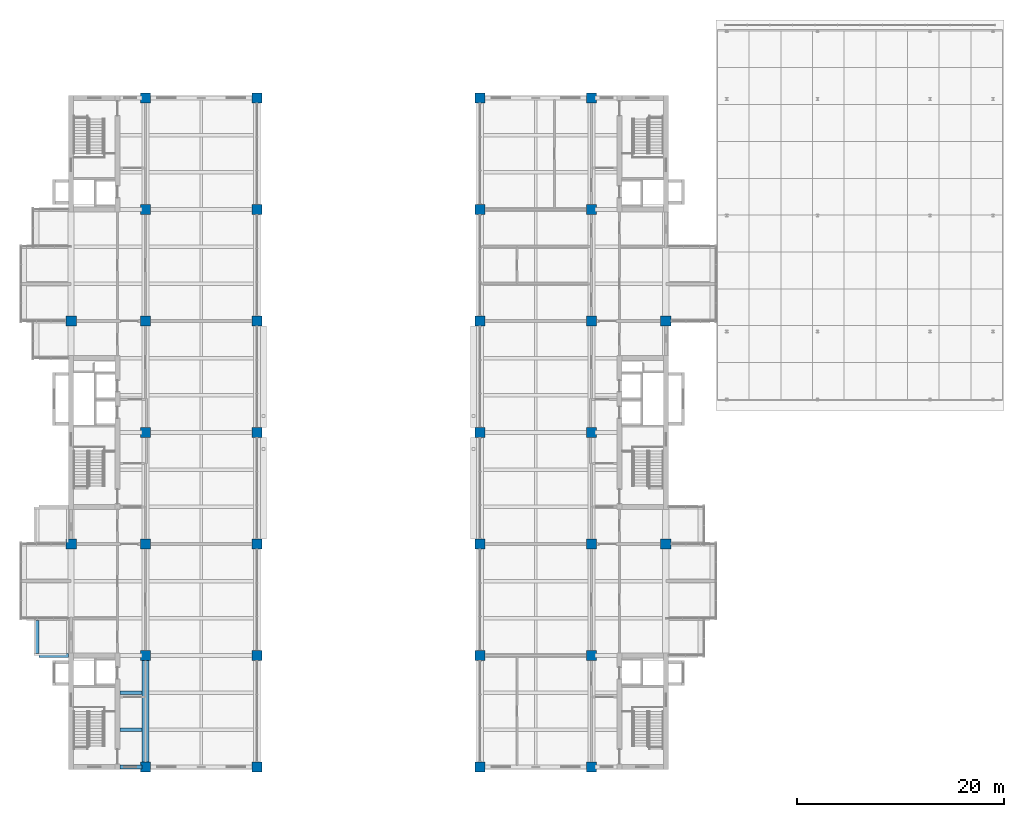
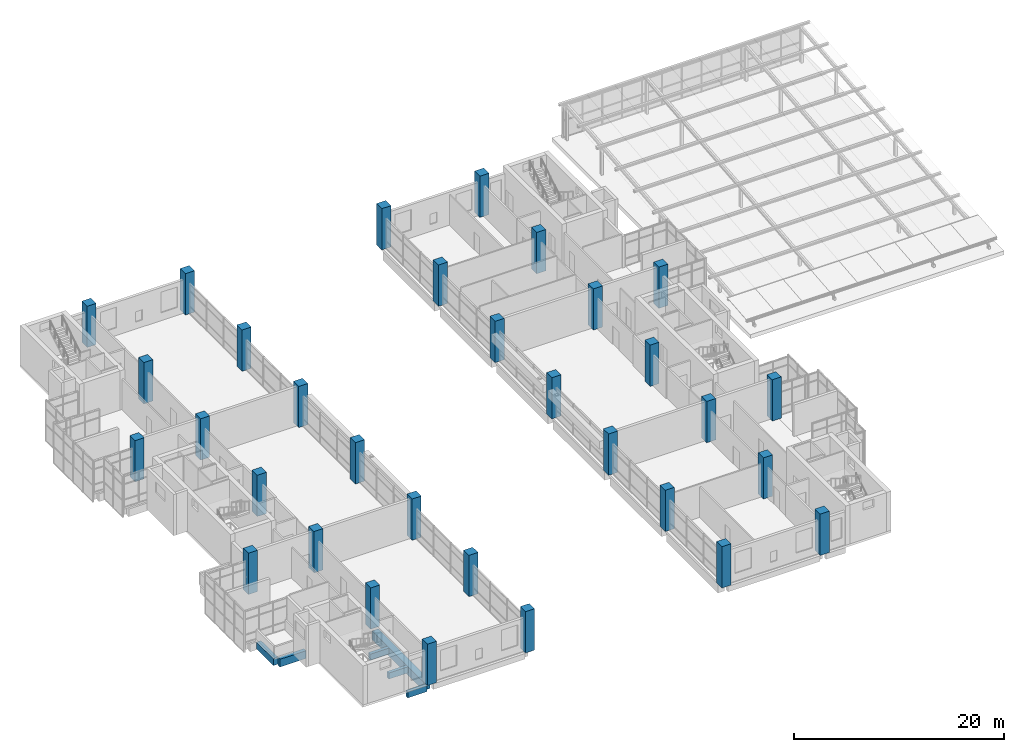
# One storey, part 1 of 44: 32 columns, 6 beams.
"""IFC4 building model written with IfcOpenShell, lengths in metres."""

from ifc_helpers import new_model, si_unit, direction, frame, origin, origin_2d, place, context, subcontext, project, spatial, rectangle, extrude, material, material_profile, profile_set, type_object, element, save


model = new_model("IFC4")

# Units and contexts
model_context = context("Model", 3, precision=1e-05, world=origin(), true_north=direction((0.0, 1.0)))
body_context = subcontext(model_context, "Body", "Model", "MODEL_VIEW")
ifc_project = project(units=[si_unit("LENGTHUNIT", "METRE"), si_unit("AREAUNIT", "SQUARE_METRE"), si_unit("VOLUMEUNIT", "CUBIC_METRE"), si_unit("PLANEANGLEUNIT", "RADIAN"), si_unit("MASSUNIT", "GRAM", prefix="KILO")], contexts=[model_context])

# Site, building, storey
site_placement = place(None, origin())
site = spatial("IfcSite", under=ifc_project, at=site_placement, CompositionType="ELEMENT")
building_placement = place(site_placement, origin())
building = spatial("IfcBuilding", under=site, at=building_placement, Name="Basin Gate Institute", CompositionType="ELEMENT")
storey_placement = place(building_placement, frame((0.0, 0.0, 27.0)))
storey = spatial("IfcBuildingStorey", under=building, at=storey_placement, Name="L05", CompositionType="ELEMENT", Elevation=27.0)

# Columns
ifc_material_1 = material(Name="Concrete 60 MPa", Category="concrete")
ifc_material_profile_1 = material_profile(ifc_material_1, rectangle(XDim=1.0, YDim=1.0, at=origin_2d()), Name="Column C2 1000 x 1000")
ifc_profile_set_1 = profile_set([ifc_material_profile_1], Name="Concrete 60 MPa")
column_type = type_object("IfcColumnType", Name="Column C2 R120", PredefinedType="COLUMN", material=ifc_profile_set_1)
for number, where, z_axis, x_axis, name in (
    (1, (61.199951171875, 56.699951171875, 0.0), (0.0, 0.0, 1.0), (1.0, 0.0, 0.0), "COL/L05/4C"),
    (2, (61.199951171875, 78.300048828125, 0.0), (0.0, 0.0, 1.0), (1.0, 0.0, 0.0), "COL/L05/4E"),
    (3, (68.39990234375, 35.10009765625, 0.0), (0.0, 0.0, 1.0), (1.0, 0.0, 0.0), "COL/L05/5A"),
    (4, (68.39990234375, 45.89990234375, 0.0), (0.0, 0.0, 1.0), (1.0, 0.0, 0.0), "COL/L05/5B"),
    (5, (68.39990234375, 56.699951171875, 0.0), (0.0, 0.0, 1.0), (1.0, 0.0, 0.0), "COL/L05/5C"),
    (6, (68.39990234375, 67.5, 0.0), (0.0, 0.0, 1.0), (1.0, 0.0, 0.0), "COL/L05/5D"),
    (7, (68.39990234375, 78.300048828125, 0.0), (0.0, 0.0, 1.0), (1.0, 0.0, 0.0), "COL/L05/5E"),
    (8, (68.39990234375, 89.10009765625, 0.0), (0.0, 0.0, 1.0), (1.0, 0.0, 0.0), "COL/L05/5F"),
    (9, (68.39990234375, 99.89990234375, 0.0), (0.0, 0.0, 1.0), (1.0, 0.0, 0.0), "COL/L05/5G"),
    (10, (79.199951171875, 35.10009765625, 0.0), (0.0, 0.0, 1.0), (1.0, 0.0, 0.0), "COL/L05/6A"),
    (11, (79.199951171875, 45.89990234375, 0.0), (0.0, 0.0, 1.0), (1.0, 0.0, 0.0), "COL/L05/6B"),
    (12, (79.199951171875, 56.699951171875, 0.0), (0.0, 0.0, 1.0), (1.0, 0.0, 0.0), "COL/L05/6C"),
    (13, (79.199951171875, 67.5, 0.0), (0.0, 0.0, 1.0), (1.0, 0.0, 0.0), "COL/L05/6D"),
    (14, (79.199951171875, 78.300048828125, 0.0), (0.0, 0.0, 1.0), (1.0, 0.0, 0.0), "COL/L05/6E"),
    (15, (79.199951171875, 89.10009765625, 0.0), (0.0, 0.0, 1.0), (1.0, 0.0, 0.0), "COL/L05/6F"),
    (16, (79.199951171875, 99.89990234375, 0.0), (0.0, 0.0, 1.0), (1.0, 0.0, 0.0), "COL/L05/6G"),
    (17, (118.800048828125, 56.699951171875, 0.0), (0.0, 0.0, 1.0), (1.0, 0.0, 0.0), "COL/L05/9C"),
    (18, (118.800048828125, 78.300048828125, 0.0), (0.0, 0.0, 1.0), (1.0, 0.0, 0.0), "COL/L05/9E"),
    (19, (111.60009765625, 35.10009765625, 0.0), (0.0, 0.0, 1.0), (1.0, 0.0, 0.0), "COL/L05/8A"),
    (20, (111.60009765625, 45.89990234375, 0.0), (0.0, 0.0, 1.0), (1.0, 0.0, 0.0), "COL/L05/8B"),
    (21, (111.60009765625, 56.699951171875, 0.0), (0.0, 0.0, 1.0), (1.0, 0.0, 0.0), "COL/L05/8C"),
    (22, (111.60009765625, 67.5, 0.0), (0.0, 0.0, 1.0), (1.0, 0.0, 0.0), "COL/L05/8D"),
    (23, (111.60009765625, 78.300048828125, 0.0), (0.0, 0.0, 1.0), (1.0, 0.0, 0.0), "COL/L05/8E"),
    (24, (111.60009765625, 89.10009765625, 0.0), (0.0, 0.0, 1.0), (1.0, 0.0, 0.0), "COL/L05/8F"),
    (25, (111.60009765625, 99.89990234375, 0.0), (0.0, 0.0, 1.0), (1.0, 0.0, 0.0), "COL/L05/8G"),
    (26, (100.800048828125, 35.10009765625, 0.0), (0.0, 0.0, 1.0), (1.0, 0.0, 0.0), "COL/L05/7A"),
    (27, (100.800048828125, 45.89990234375, 0.0), (0.0, 0.0, 1.0), (1.0, 0.0, 0.0), "COL/L05/7B"),
    (28, (100.800048828125, 56.699951171875, 0.0), (0.0, 0.0, 1.0), (1.0, 0.0, 0.0), "COL/L05/7C"),
    (29, (100.800048828125, 67.5, 0.0), (0.0, 0.0, 1.0), (1.0, 0.0, 0.0), "COL/L05/7D"),
    (30, (100.800048828125, 78.300048828125, 0.0), (0.0, 0.0, 1.0), (1.0, 0.0, 0.0), "COL/L05/7E"),
    (31, (100.800048828125, 89.10009765625, 0.0), (0.0, 0.0, 1.0), (1.0, 0.0, 0.0), "COL/L05/7F"),
    (32, (100.800048828125, 99.89990234375, 0.0), (0.0, 0.0, 1.0), (1.0, 0.0, 0.0), "COL/L05/7G"),
):
    element("IfcColumn", number, at=place(storey_placement, frame(where, z_axis=z_axis, x_axis=x_axis)), inside=storey, type_object=column_type, material=ifc_profile_set_1, Name=name, PredefinedType="COLUMN", context=body_context, shape_type="SweptSolid", body=[
        extrude(rectangle(XDim=1.0, YDim=1.0, at=origin_2d()), origin(), (0.0, 0.0, 1.0), 4.800048828125),
    ])

# Beams
ifc_material_2 = material(Name="Concrete 40 MPa", Category="concrete")
ifc_material_profile_2 = material_profile(ifc_material_2, rectangle(XDim=0.35009765625, YDim=0.699951171875, at=origin_2d()), Name="Beam B1 350 x 700")
ifc_profile_set_2 = profile_set([ifc_material_profile_2], Name="Concrete 40 MPa")
beam_type_1 = type_object("IfcBeamType", Name="Beam B1 R120", PredefinedType="BEAM", material=ifc_profile_set_2)
for number, where, z_axis, x_axis, name in (
    (33, (65.949951171875, 35.10009765625, -0.60009765625), (1.0, 0.0, 0.0), (0.0, 1.0, 0.0), "BEAM/L05/W/CORR/01"),
    (34, (65.949951171875, 38.699951171875, -0.60009765625), (1.0, 0.0, 0.0), (0.0, 1.0, 0.0), "BEAM/L05/W/CORR/02"),
    (35, (65.949951171875, 42.300048828125, -0.60009765625), (1.0, 0.0, 0.0), (0.0, 1.0, 0.0), "BEAM/L05/W/CORR/03"),
):
    element("IfcBeam", number, at=place(storey_placement, frame(where, z_axis=z_axis, x_axis=x_axis)), inside=storey, type_object=beam_type_1, material=ifc_profile_set_2, Name=name, PredefinedType="BEAM", context=body_context, shape_type="SweptSolid", body=[
        extrude(rectangle(XDim=0.35009765625, YDim=0.699951171875, at=origin_2d()), origin(), (0.0, 0.0, 1.0), 2.10009765625),
    ])
ifc_material_3 = material(Name="Concrete 50 MPa", Category="concrete")
ifc_material_profile_3 = material_profile(ifc_material_3, rectangle(XDim=0.39990234375, YDim=0.89990234375, at=origin_2d()), Name="Cantilever beam B3 400 x 900")
ifc_profile_set_3 = profile_set([ifc_material_profile_3], Name="Concrete 50 MPa")
beam_type_2 = type_object("IfcBeamType", Name="Cantilever beam B3 R120", PredefinedType="BEAM", material=ifc_profile_set_3)
beam_1_placement = place(storey_placement, frame((58.10009765625, 45.89990234375, -0.699951171875), z_axis=(1.0, 0.0, 0.0), x_axis=(0.0, 1.0, 0.0)))
element("IfcBeam", 36, at=beam_1_placement, inside=storey, type_object=beam_type_2, material=ifc_profile_set_3, Name="BEAM/L05/W/CANT/04", PredefinedType="BEAM", context=body_context, shape_type="SweptSolid", body=[
    extrude(rectangle(XDim=0.39990234375, YDim=0.89990234375, at=origin_2d()), origin(), (0.0, 0.0, 1.0), 2.849853515625),
])
ifc_material_4 = material(Name="Concrete 50 MPa", Category="concrete")
ifc_material_profile_4 = material_profile(ifc_material_4, rectangle(XDim=0.699951171875, YDim=1.0, at=origin_2d()), Name="Girder G1 700 x 1000")
ifc_profile_set_4 = profile_set([ifc_material_profile_4], Name="Concrete 50 MPa")
beam_type_3 = type_object("IfcBeamType", Name="Girder G1 R120", PredefinedType="BEAM", material=ifc_profile_set_4)
beam_2_placement = place(storey_placement, frame((68.39990234375, 35.60009765625, -0.75), z_axis=(0.0, 1.0, 0.0), x_axis=(-1.0, 0.0, 0.0)))
element("IfcBeam", 37, at=beam_2_placement, inside=storey, type_object=beam_type_3, material=ifc_profile_set_4, Name="GIR/L05/W5/1", PredefinedType="BEAM", context=body_context, shape_type="SweptSolid", body=[
    extrude(rectangle(XDim=0.699951171875, YDim=1.0, at=origin_2d()), origin(), (0.0, 0.0, 1.0), 9.7998046875),
])
ifc_material_5 = material(Name="Concrete 50 MPa", Category="concrete")
ifc_material_profile_5 = material_profile(ifc_material_5, rectangle(XDim=0.5, YDim=0.800048828125, at=origin_2d()), Name="Tip beam TB1 500 x 800")
ifc_profile_set_5 = profile_set([ifc_material_profile_5], Name="Concrete 50 MPa")
beam_type_4 = type_object("IfcBeamType", Name="Tip beam TB1 R120", PredefinedType="SPANDREL", material=ifc_profile_set_5)
beam_3_placement = place(storey_placement, frame((57.85009765625, 46.10009765625, -0.64990234375), z_axis=(0.0, 1.0, 0.0), x_axis=(-1.0, 0.0, 0.0)))
element("IfcBeam", 38, at=beam_3_placement, inside=storey, type_object=beam_type_4, material=ifc_profile_set_5, Name="BEAM/L05/W/TIP/1", PredefinedType="SPANDREL", context=body_context, shape_type="SweptSolid", body=[
    extrude(rectangle(XDim=0.5, YDim=0.800048828125, at=origin_2d()), origin(), (0.0, 0.0, 1.0), 3.199951171875),
])

save(model, "model.ifc")
